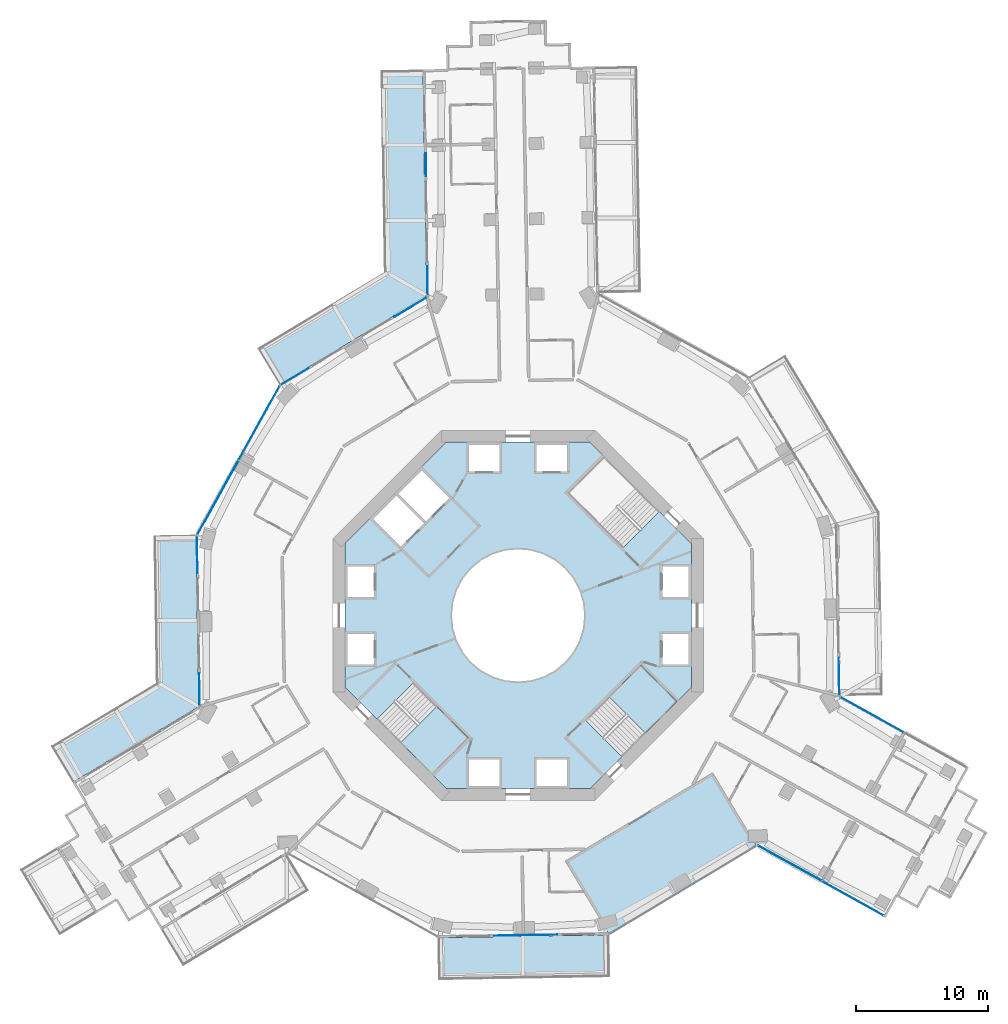
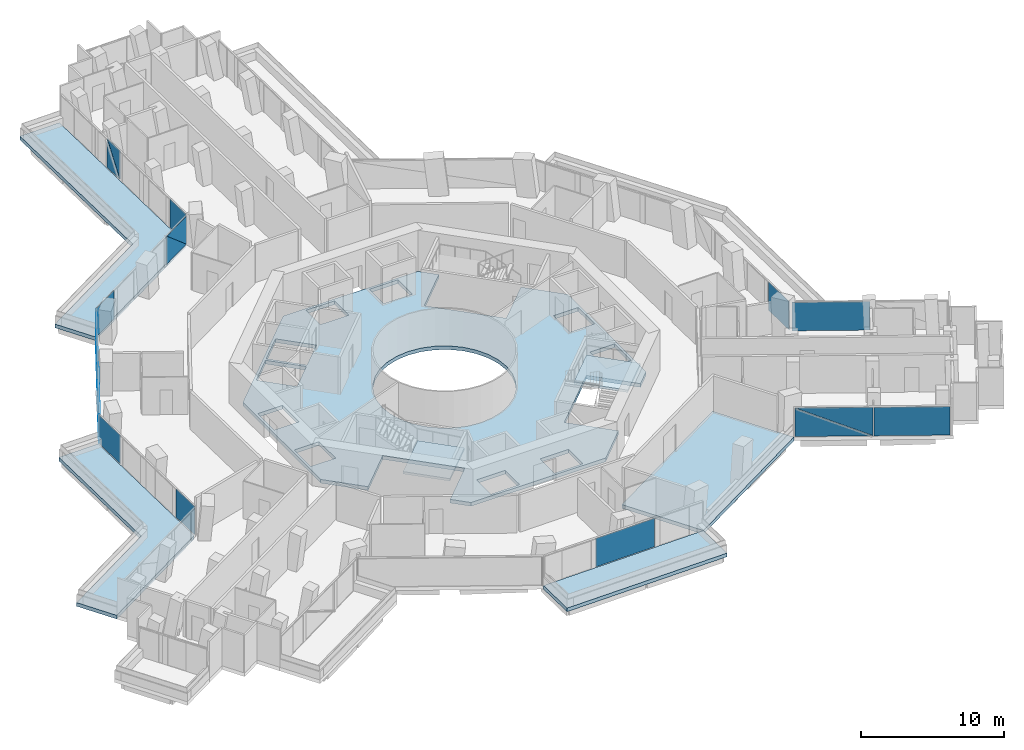
# One storey, part 14 of 25: 17 plates, 7 slabs, 10 elements without a shape of their own.
"""IFC4 building model written with IfcOpenShell, lengths in metres."""

from ifc_helpers import new_model, si_unit, direction, frame, origin, origin_2d, place, context, subcontext, project, spatial, polyline, rectangle, outline, extrude, material, layer, layer_set, type_object, element, aggregate, save


model = new_model("IFC4")

# Units and contexts
model_context = context("Model", 3, precision=1e-05, world=origin(), true_north=direction((0.0, 1.0)))
body_context = subcontext(model_context, "Body", "Model", "MODEL_VIEW")
ifc_project = project(units=[si_unit("LENGTHUNIT", "METRE"), si_unit("AREAUNIT", "SQUARE_METRE"), si_unit("VOLUMEUNIT", "CUBIC_METRE"), si_unit("PLANEANGLEUNIT", "RADIAN"), si_unit("MASSUNIT", "GRAM", prefix="KILO")], contexts=[model_context])

# Site, building, storey
site_placement = place(None, origin())
site = spatial("IfcSite", under=ifc_project, at=site_placement, CompositionType="ELEMENT")
building_placement = place(site_placement, origin())
building = spatial("IfcBuilding", under=site, at=building_placement, Name="Verdalira Terraces Hotel", CompositionType="ELEMENT")
storey_placement = place(building_placement, frame((0.0, 0.0, 39.0)))
storey = spatial("IfcBuildingStorey", under=building, at=storey_placement, Name="L07", CompositionType="ELEMENT", Elevation=39.0)

# Slabs
ifc_material_1 = material(Name="Precast concrete C40/50", Category="concrete")
ifc_layer_1 = layer(ifc_material_1, 0.31005859375)
ifc_layer_set_1 = layer_set([ifc_layer_1], Name="Balcony deck 310")
slab_type_1 = type_object("IfcSlabType", Name="Balcony deck 310", PredefinedType="FLOOR", material=ifc_layer_set_1)
slab_1_placement = place(storey_placement, frame((0.0, 0.0, -0.310059)))
element("IfcSlab", 1, at=slab_1_placement, inside=storey, type_object=slab_type_1, Name="Balcony deck", PredefinedType="FLOOR", context=body_context, shape_type="SweptSolid", body=[
    extrude(outline(polyline([(-10.135986, 25.939697), (-19.699463, 20.202393), (-18.053467, 17.458252), (-6.905518, 24.145996), (-7.192383, 41.260498), (-10.391846, 41.207031), (-10.135986, 25.939697)])), origin(), (0.0, 0.0, 1.0), 0.310059),
])
slab_2_placement = place(storey_placement, frame((0.0, 0.0, -0.310059)))
element("IfcSlab", 2, at=slab_2_placement, inside=storey, type_object=slab_type_1, Name="Balcony deck", PredefinedType="FLOOR", context=body_context, shape_type="SweptSolid", body=[
    extrude(outline(polyline([(-27.376465, -5.111816), (-35.325195, -9.880371), (-33.679199, -12.624512), (-24.145996, -6.905518), (-24.36377, 6.092773), (-27.563477, 6.039062), (-27.376465, -5.111816)])), origin(), (0.0, 0.0, 1.0), 0.310059),
])
slab_3_placement = place(storey_placement, frame((0.0, 0.0, -0.310059)))
element("IfcSlab", 3, at=slab_3_placement, inside=storey, type_object=slab_type_1, Name="Balcony deck", PredefinedType="FLOOR", context=body_context, shape_type="SweptSolid", body=[
    extrude(outline(polyline([(6.959229, -27.345459), (6.905518, -24.145996), (-6.092773, -24.36377), (-6.039062, -27.563477), (6.959229, -27.345459)])), origin(), (0.0, 0.0, 1.0), 0.310059),
])

# Curtain wall, plates
ifc_material_2 = material(Name="Clear glass", Category="glass")
ifc_layer_2 = layer(ifc_material_2, 0.14990234375)
ifc_layer_set_2 = layer_set([ifc_layer_2], Name="CW1 curtain wall")
curtain_wall_type_1 = type_object("IfcCurtainWallType", Name="CW1 curtain wall", PredefinedType="NOTDEFINED", material=ifc_layer_set_2)
curtain_wall_1_placement = place(storey_placement, origin())
curtain_wall_1 = element("IfcCurtainWall", 4, at=curtain_wall_1_placement, inside=storey, type_object=curtain_wall_type_1, Name="CW1 curtain wall L07 edge 11", PredefinedType="NOTDEFINED")
ifc_material_3 = material(Name="Clear glass", Category="glass")
ifc_layer_3 = layer(ifc_material_3, 0.028076171875)
ifc_layer_set_3 = layer_set([ifc_layer_3], Name="CW1 glass unit 28")
plate_type_1 = type_object("IfcPlateType", Name="CW1 glass unit 28", PredefinedType="CURTAIN_PANEL", material=ifc_layer_set_3)
plate_1_placement = place(storey_placement, frame((-8.128662, 23.30835, 1.212402), z_axis=(-0.514439534, 0.857526656, 0.0), x_axis=(-0.857526656, -0.514439534, 0.0)))
plate_1 = element("IfcPlate", 5, at=plate_1_placement, type_object=plate_type_1, Name="CW1 glass unit", PredefinedType="CURTAIN_PANEL", context=body_context, shape_type="SweptSolid", body=[
    extrude(outline(polyline([(-1.419922, -1.212402), (1.419922, -1.212402), (1.419922, 1.212402), (-1.419922, -1.212402)])), origin(), (0.0, 0.0, 1.0), 0.028076),
])
plate_2_placement = place(storey_placement, frame((-8.11377, 23.283447, 1.212402), z_axis=(-0.514439534, 0.857526656, 0.0), x_axis=(-0.857526656, -0.514439534, 0.0)))
plate_2 = element("IfcPlate", 6, at=plate_2_placement, type_object=plate_type_1, Name="CW1 glass unit", PredefinedType="CURTAIN_PANEL", context=body_context, shape_type="SweptSolid", body=[
    extrude(outline(polyline([(-1.419922, -1.212402), (1.419922, 1.212402), (-1.419922, 1.212402), (-1.419922, -1.212402)])), origin(), (0.0, 0.0, 1.0), 0.028076),
])
plate_3_placement = place(storey_placement, frame((-16.883057, 18.072998, 0.0), z_axis=(0.0, 0.0, 1.0), x_axis=(-0.857526656, -0.514439534, 0.0)))
plate_3 = element("IfcPlate", 7, at=plate_3_placement, type_object=plate_type_1, Name="CW1 glass unit", PredefinedType="CURTAIN_PANEL", context=body_context, shape_type="SweptSolid", body=[
    extrude(rectangle(XDim=2.439209, YDim=0.028076, at=origin_2d()), origin(), (0.0, 0.0, 1.0), 2.425049),
])
aggregate(curtain_wall_1, [plate_1, plate_2, plate_3])

curtain_wall_2_placement = place(storey_placement, origin())
curtain_wall_2 = element("IfcCurtainWall", 8, at=curtain_wall_2_placement, inside=storey, type_object=curtain_wall_type_1, Name="CW1 curtain wall L07 edge 12", PredefinedType="NOTDEFINED")
plate_4_placement = place(storey_placement, frame((-19.58252, 14.549805, 0.0), z_axis=(0.0, 0.0, 1.0), x_axis=(-0.485420102, -0.874281033, 0.0)))
plate_4 = element("IfcPlate", 9, at=plate_4_placement, type_object=plate_type_1, Name="CW1 glass unit", PredefinedType="CURTAIN_PANEL", context=body_context, shape_type="SweptSolid", body=[
    extrude(rectangle(XDim=6.369873, YDim=0.028076, at=origin_2d()), origin(), (0.0, 0.0, 1.0), 2.425049),
])
plate_5_placement = place(storey_placement, frame((-22.691406, 8.921631, 1.212402), z_axis=(-0.874281033, 0.485420102, 0.0), x_axis=(-0.485420102, -0.874281033, 0.0)))
plate_5 = element("IfcPlate", 10, at=plate_5_placement, type_object=plate_type_1, Name="CW1 glass unit", PredefinedType="CURTAIN_PANEL", context=body_context, shape_type="SweptSolid", body=[
    extrude(outline(polyline([(-3.185059, -1.212402), (3.185059, -1.212402), (3.185059, 1.212402), (-3.185059, -1.212402)])), origin(), (0.0, 0.0, 1.0), 0.028076),
])
plate_6_placement = place(storey_placement, frame((-22.666016, 8.907471, 1.212402), z_axis=(-0.874281033, 0.485420102, 0.0), x_axis=(-0.485420102, -0.874281033, 0.0)))
plate_6 = element("IfcPlate", 11, at=plate_6_placement, type_object=plate_type_1, Name="CW1 glass unit", PredefinedType="CURTAIN_PANEL", context=body_context, shape_type="SweptSolid", body=[
    extrude(outline(polyline([(-3.185059, -1.212402), (3.185059, 1.212402), (-3.185059, 1.212402), (-3.185059, -1.212402)])), origin(), (0.0, 0.0, 1.0), 0.028076),
])
aggregate(curtain_wall_2, [plate_4, plate_5, plate_6])

curtain_wall_3_placement = place(storey_placement, origin())
curtain_wall_3 = element("IfcCurtainWall", 12, at=curtain_wall_3_placement, inside=storey, type_object=curtain_wall_type_1, Name="CW1 curtain wall L07 edge 13", PredefinedType="NOTDEFINED")
plate_7_placement = place(storey_placement, frame((-24.263672, 4.593994, 0.0), z_axis=(0.0, 0.0, 1.0), x_axis=(0.016754377, -0.999859636, 0.0)))
plate_7 = element("IfcPlate", 13, at=plate_7_placement, type_object=plate_type_1, Name="CW1 glass unit", PredefinedType="CURTAIN_PANEL", context=body_context, shape_type="SweptSolid", body=[
    extrude(rectangle(XDim=2.799805, YDim=0.028076, at=origin_2d()), origin(), (0.0, 0.0, 1.0), 2.425049),
])
plate_8_placement = place(storey_placement, frame((-24.092773, -5.604736, 0.0), z_axis=(0.0, 0.0, 1.0), x_axis=(0.016754377, -0.999859636, 0.0)))
plate_8 = element("IfcPlate", 14, at=plate_8_placement, type_object=plate_type_1, Name="CW1 glass unit", PredefinedType="CURTAIN_PANEL", context=body_context, shape_type="SweptSolid", body=[
    extrude(rectangle(XDim=2.479492, YDim=0.028076, at=origin_2d()), origin(), (0.0, 0.0, 1.0), 2.425049),
])
aggregate(curtain_wall_3, [plate_7, plate_8])

# Curtain wall, plate
curtain_wall_4_placement = place(storey_placement, origin())
curtain_wall_4 = element("IfcCurtainWall", 15, at=curtain_wall_4_placement, inside=storey, type_object=curtain_wall_type_1, Name="CW1 curtain wall L07 edge 26", PredefinedType="NOTDEFINED")
plate_9_placement = place(storey_placement, frame((0.58374, -24.177002, 0.0), z_axis=(0.0, 0.0, 1.0), x_axis=(0.999859636, 0.016754377, 0.0)))
plate_9 = element("IfcPlate", 16, at=plate_9_placement, type_object=plate_type_1, Name="CW1 glass unit", PredefinedType="CURTAIN_PANEL", context=body_context, shape_type="SweptSolid", body=[
    extrude(rectangle(XDim=4.759277, YDim=0.028076, at=origin_2d()), origin(), (0.0, 0.0, 1.0), 2.425049),
])
aggregate(curtain_wall_4, [plate_9])

curtain_wall_5_placement = place(storey_placement, origin())
curtain_wall_5 = element("IfcCurtainWall", 17, at=curtain_wall_5_placement, inside=storey, type_object=curtain_wall_type_1, Name="CW1 curtain wall L07 edge 39", PredefinedType="NOTDEFINED")
plate_10_placement = place(storey_placement, frame((24.26416, -4.614014, 0.0), z_axis=(0.0, 0.0, 1.0), x_axis=(-0.016754377, 0.999859636, 0.0)))
plate_10 = element("IfcPlate", 18, at=plate_10_placement, type_object=plate_type_1, Name="CW1 glass unit", PredefinedType="CURTAIN_PANEL", context=body_context, shape_type="SweptSolid", body=[
    extrude(rectangle(XDim=2.840088, YDim=0.028076, at=origin_2d()), origin(), (0.0, 0.0, 1.0), 2.425049),
])
aggregate(curtain_wall_5, [plate_10])

# Curtain wall, plates
ifc_material_4 = material(Name="Clear glass", Category="glass")
ifc_layer_4 = layer(ifc_material_4, 0.14990234375)
ifc_layer_set_4 = layer_set([ifc_layer_4], Name="CW2 curtain wall")
curtain_wall_type_2 = type_object("IfcCurtainWallType", Name="CW2 curtain wall", PredefinedType="NOTDEFINED", material=ifc_layer_set_4)
curtain_wall_6_placement = place(storey_placement, origin())
curtain_wall_6 = element("IfcCurtainWall", 19, at=curtain_wall_6_placement, inside=storey, type_object=curtain_wall_type_2, Name="CW2 curtain wall L07 edge 10", PredefinedType="NOTDEFINED")
ifc_material_5 = material(Name="Clear glass", Category="glass")
ifc_layer_5 = layer(ifc_material_5, 0.031982421875)
ifc_layer_set_5 = layer_set([ifc_layer_5], Name="CW2 glass unit 32")
plate_type_2 = type_object("IfcPlateType", Name="CW2 glass unit 32", PredefinedType="CURTAIN_PANEL", material=ifc_layer_set_5)
plate_11_placement = place(storey_placement, frame((-6.980957, 34.064453, 1.212402), z_axis=(-0.999859636, -0.016754377, 0.0), x_axis=(0.016754377, -0.999859636, 0.0)))
plate_11 = element("IfcPlate", 20, at=plate_11_placement, type_object=plate_type_2, Name="CW2 glass unit", PredefinedType="CURTAIN_PANEL", context=body_context, shape_type="SweptSolid", body=[
    extrude(outline(polyline([(-0.862549, -1.212402), (0.862549, -1.212402), (-0.862549, 1.212402), (-0.862549, -1.212402)])), origin(), (0.0, 0.0, 1.0), 0.031982),
])
plate_12_placement = place(storey_placement, frame((-6.947998, 34.064941, 1.212402), z_axis=(-0.999859636, -0.016754377, 0.0), x_axis=(0.016754377, -0.999859636, 0.0)))
plate_12 = element("IfcPlate", 21, at=plate_12_placement, type_object=plate_type_2, Name="CW2 glass unit", PredefinedType="CURTAIN_PANEL", context=body_context, shape_type="SweptSolid", body=[
    extrude(outline(polyline([(0.862549, -1.212402), (0.862549, 1.212402), (-0.862549, 1.212402), (0.862549, -1.212402)])), origin(), (0.0, 0.0, 1.0), 0.031982),
])
plate_13_placement = place(storey_placement, frame((-6.849854, 25.305664, 0.0), z_axis=(0.0, 0.0, 1.0), x_axis=(0.016754377, -0.999859636, 0.0)))
plate_13 = element("IfcPlate", 22, at=plate_13_placement, type_object=plate_type_2, Name="CW2 glass unit", PredefinedType="CURTAIN_PANEL", context=body_context, shape_type="SweptSolid", body=[
    extrude(rectangle(XDim=2.177002, YDim=0.031982, at=origin_2d()), origin(), (0.0, 0.0, 1.0), 2.425049),
])
aggregate(curtain_wall_6, [plate_11, plate_12, plate_13])

curtain_wall_7_placement = place(storey_placement, origin())
curtain_wall_7 = element("IfcCurtainWall", 23, at=curtain_wall_7_placement, inside=storey, type_object=curtain_wall_type_2, Name="CW2 curtain wall L07 edge 28", PredefinedType="NOTDEFINED")
plate_14_placement = place(storey_placement, frame((20.542725, -18.736328, 1.212402), z_axis=(-0.485420102, -0.874281033, 0.0), x_axis=(0.874281033, -0.485420102, 0.0)))
plate_14 = element("IfcPlate", 24, at=plate_14_placement, type_object=plate_type_2, Name="CW2 glass unit", PredefinedType="CURTAIN_PANEL", context=body_context, shape_type="SweptSolid", body=[
    extrude(outline(polyline([(-2.726562, -1.212402), (2.726562, -1.212402), (-2.726562, 1.212402), (-2.726562, -1.212402)])), origin(), (0.0, 0.0, 1.0), 0.031982),
])
plate_15_placement = place(storey_placement, frame((20.558594, -18.70752, 1.212402), z_axis=(-0.485420102, -0.874281033, 0.0), x_axis=(0.874281033, -0.485420102, 0.0)))
plate_15 = element("IfcPlate", 25, at=plate_15_placement, type_object=plate_type_2, Name="CW2 glass unit", PredefinedType="CURTAIN_PANEL", context=body_context, shape_type="SweptSolid", body=[
    extrude(outline(polyline([(2.726562, -1.212402), (2.726562, 1.212402), (-2.726562, 1.212402), (2.726562, -1.212402)])), origin(), (0.0, 0.0, 1.0), 0.031982),
])
plate_16_placement = place(storey_placement, frame((25.29834, -21.39502, 0.0), z_axis=(0.0, 0.0, 1.0), x_axis=(0.874281033, -0.485420102, 0.0)))
plate_16 = element("IfcPlate", 26, at=plate_16_placement, type_object=plate_type_2, Name="CW2 glass unit", PredefinedType="CURTAIN_PANEL", context=body_context, shape_type="SweptSolid", body=[
    extrude(rectangle(XDim=5.303467, YDim=0.031982, at=origin_2d()), origin(), (0.0, 0.0, 1.0), 2.425049),
])
aggregate(curtain_wall_7, [plate_14, plate_15, plate_16])

# Curtain wall, plate
curtain_wall_8_placement = place(storey_placement, origin())
curtain_wall_8 = element("IfcCurtainWall", 27, at=curtain_wall_8_placement, inside=storey, type_object=curtain_wall_type_2, Name="CW2 curtain wall L07 edge 38", PredefinedType="NOTDEFINED")
plate_17_placement = place(storey_placement, frame((26.772461, -7.515869, 0.0), z_axis=(0.0, 0.0, 1.0), x_axis=(-0.874281033, 0.485420102, 0.0)))
plate_17 = element("IfcPlate", 28, at=plate_17_placement, type_object=plate_type_2, Name="CW2 glass unit", PredefinedType="CURTAIN_PANEL", context=body_context, shape_type="SweptSolid", body=[
    extrude(rectangle(XDim=5.453369, YDim=0.031982, at=origin_2d()), origin(), (0.0, 0.0, 1.0), 2.425049),
])
aggregate(curtain_wall_8, [plate_17])

# Slab
ifc_material_6 = material(Name="Concrete C40", Category="concrete")
ifc_layer_6 = layer(ifc_material_6, 0.31005859375)
ifc_layer_set_6 = layer_set([ifc_layer_6], Name="Core floor slab 310 mm")
slab_type_2 = type_object("IfcSlabType", Name="Core floor slab 310 mm", PredefinedType="FLOOR", material=ifc_layer_set_6)
slab_4_placement = place(storey_placement, frame((0.0, 0.0, -0.310059)))
element("IfcSlab", 29, at=slab_4_placement, inside=storey, type_object=slab_type_2, Name="L07 core floor", PredefinedType="FLOOR", context=body_context, shape_type="SweptSolid", body=[
    extrude(outline(polyline([(-5.42627, 13.100098), (5.42627, 13.100098), (6.491211, 12.034912), (3.719482, 9.263184), (7.905029, 5.077393), (10.677002, 7.849121), (13.100098, 5.42627), (13.100098, -5.42627), (12.034912, -6.491211), (9.263184, -3.719482), (5.077393, -7.905029), (7.849121, -10.677002), (5.42627, -13.100098), (-5.42627, -13.100098), (-6.491211, -12.034912), (-3.719482, -9.263184), (-7.905029, -5.077393), (-10.677002, -7.849121), (-13.100098, -5.42627), (-13.100098, 5.42627), (-5.42627, 13.100098)]), holes=[polyline([(12.899902, -3.699951), (12.899902, -1.399902), (10.899902, -1.399902), (10.899902, -3.699951), (12.899902, -3.699951)]), polyline([(12.899902, 1.399902), (12.899902, 3.699951), (10.899902, 3.699951), (10.899902, 1.399902), (12.899902, 1.399902)]), polyline([(1.399902, 10.899902), (3.699951, 10.899902), (3.699951, 12.899902), (1.399902, 12.899902), (1.399902, 10.899902)]), polyline([(-3.699951, 10.899902), (-1.399902, 10.899902), (-1.399902, 12.899902), (-3.699951, 12.899902), (-3.699951, 10.899902)]), polyline([(-12.899902, 3.699951), (-12.899902, 1.399902), (-10.899902, 1.399902), (-10.899902, 3.699951), (-12.899902, 3.699951)]), polyline([(-12.899902, -1.399902), (-12.899902, -3.699951), (-10.899902, -3.699951), (-10.899902, -1.399902), (-12.899902, -1.399902)]), polyline([(-1.399902, -10.899902), (-3.699951, -10.899902), (-3.699951, -12.899902), (-1.399902, -12.899902), (-1.399902, -10.899902)]), polyline([(3.699951, -10.899902), (1.399902, -10.899902), (1.399902, -12.899902), (3.699951, -12.899902), (3.699951, -10.899902)]), polyline([(-9.051025, 9.192383), (-6.965088, 7.106445), (-5.197266, 8.874268), (-7.283203, 10.960205), (-9.051025, 9.192383)]), polyline([(-9.192383, 9.051025), (-10.960205, 7.283203), (-8.874268, 5.197266), (-7.106445, 6.965088), (-9.192383, 9.051025)]), polyline([(3.5354, 3.5354), (2.777832, 4.157227), (1.91333, 4.619385), (0.975586, 4.903809), (0.0, 5.0), (-0.975586, 4.903809), (-1.91333, 4.619385), (-2.777832, 4.157227), (-3.5354, 3.5354), (-4.157227, 2.777832), (-4.619385, 1.91333), (-4.903809, 0.975586), (-5.0, 0.0), (-4.903809, -0.975586), (-4.619385, -1.91333), (-4.157227, -2.777832), (-3.5354, -3.5354), (-2.777832, -4.157227), (-1.91333, -4.619385), (-0.975586, -4.903809), (0.0, -5.0), (0.975586, -4.903809), (1.91333, -4.619385), (2.777832, -4.157227), (3.5354, -3.5354), (4.157227, -2.777832), (4.619385, -1.91333), (4.903809, -0.975586), (5.0, 0.0), (4.903809, 0.975586), (4.619385, 1.91333), (4.157227, 2.777832), (3.5354, 3.5354)])]), origin(), (0.0, 0.0, 1.0), 0.310059),
])

# Stair, slab
ifc_material_7 = material(Name="Concrete C40", Category="concrete")
stair_type = type_object("IfcStairType", Name="Core stair 20 risers 1900 mm wide", PredefinedType="HALF_TURN_STAIR", material=ifc_material_7)
stair_1_placement = place(storey_placement, origin())
stair_1 = element("IfcStair", 30, at=stair_1_placement, inside=storey, type_object=stair_type, Name="L07 Exit stair ST2", PredefinedType="HALF_TURN_STAIR")
ifc_material_8 = material(Name="Concrete C40", Category="concrete")
ifc_layer_7 = layer(ifc_material_8, 0.199951171875)
ifc_layer_set_7 = layer_set([ifc_layer_7], Name="Core stair landing 200 mm")
slab_type_3 = type_object("IfcSlabType", Name="Core stair landing 200 mm", PredefinedType="LANDING", material=ifc_layer_set_7)
slab_5_placement = place(storey_placement, frame((0.0, 0.0, 1.550049)))
slab_5 = element("IfcSlab", 31, at=slab_5_placement, type_object=slab_type_3, Name="ST2 landing 1", PredefinedType="LANDING", context=body_context, shape_type="SweptSolid", body=[
    extrude(outline(polyline([(-8.895752, -9.630371), (-6.505371, -12.020752), (-3.747559, -9.263184), (-6.137939, -6.872803), (-8.895752, -9.630371)])), origin(), (0.0, 0.0, 1.0), 0.199951),
])
aggregate(stair_1, [slab_5])

stair_2_placement = place(storey_placement, origin())
stair_2 = element("IfcStair", 32, at=stair_2_placement, inside=storey, type_object=stair_type, Name="L07 Exit stair ST3", PredefinedType="HALF_TURN_STAIR")
slab_6_placement = place(storey_placement, frame((0.0, 0.0, 1.550049)))
slab_6 = element("IfcSlab", 33, at=slab_6_placement, type_object=slab_type_3, Name="ST3 landing 1", PredefinedType="LANDING", context=body_context, shape_type="SweptSolid", body=[
    extrude(outline(polyline([(9.630371, -8.895752), (12.020752, -6.505371), (9.263184, -3.747559), (6.872803, -6.137939), (9.630371, -8.895752)])), origin(), (0.0, 0.0, 1.0), 0.199951),
])
aggregate(stair_2, [slab_6])

# Slab
ifc_material_9 = material(Name="Concrete C40", Category="concrete")
ifc_layer_8 = layer(ifc_material_9, 0.31005859375)
ifc_layer_set_8 = layer_set([ifc_layer_8], Name="Loggia floor deck 310 C40")
slab_type_4 = type_object("IfcSlabType", Name="Loggia floor deck 310 C40", PredefinedType="FLOOR", material=ifc_layer_set_8)
slab_7_placement = place(storey_placement, frame((0.0, 0.0, -0.310059)))
element("IfcSlab", 34, at=slab_7_placement, inside=storey, type_object=slab_type_4, Name="Loggia deck L07", PredefinedType="FLOOR", context=body_context, shape_type="SweptSolid", body=[
    extrude(outline(polyline([(3.561768, -18.572021), (6.905518, -24.145996), (18.053467, -17.458252), (14.709473, -11.884521), (3.561768, -18.572021)])), origin(), (0.0, 0.0, 1.0), 0.310059),
])

save(model, "model.ifc")
